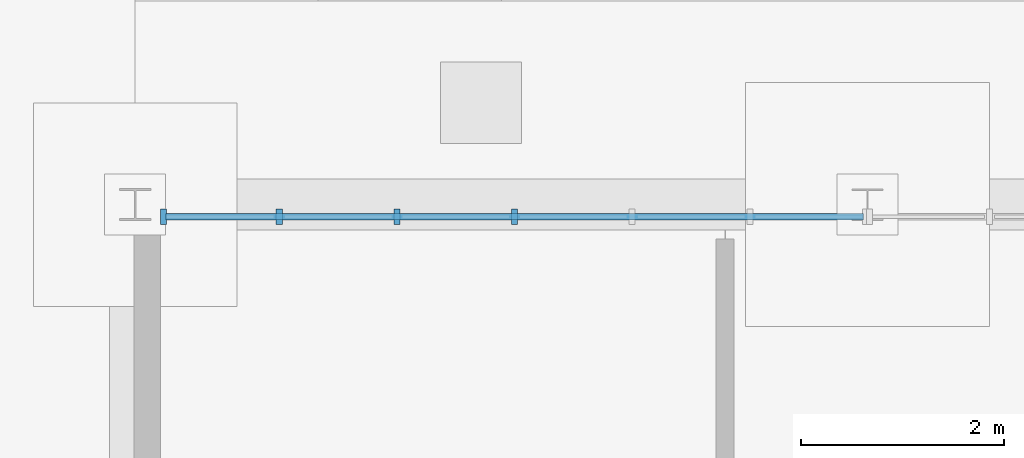
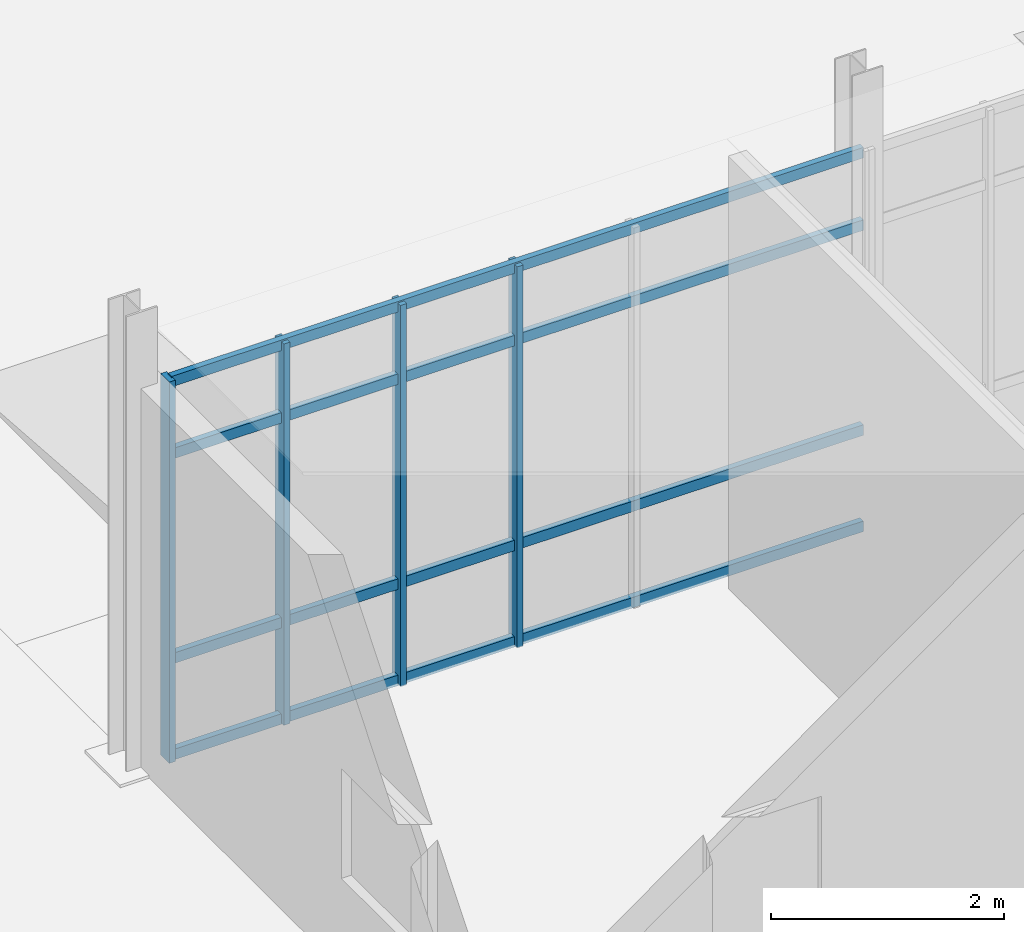
# One storey, part 32 of 118: 8 members, 1 element without a shape of its own.
"""IFC4 building model written with IfcOpenShell, lengths in metres."""

import ifcopenshell
import ifcopenshell.guid

model = None  # the IFC model being written
_history = None  # IfcOwnerHistory: only IFC2X3 demands one
_inside = {}  # id of a spatial element -> (the spatial element, [elements in it])
_under = {}  # id of a project, library or spatial element -> (it, [spatial elements below it])
_declared = {}  # id of a project -> (the project, [libraries it declares])
_typed = {}  # id of a type object -> (the type object, [elements of that type])
_made_of = {}  # id of a material, layer set ... -> (it, [elements and type objects made of it])


def new_model(schema):
    """Start an empty IFC model of exactly this schema.

    Asked for "IFC4X3", IfcOpenShell would pick the latest addendum, in which some entities
    have other attributes; the version numbers below select the first issue.
    IFC2X3 requires an IfcOwnerHistory on every rooted entity: one is made here for all.
    """
    global model, _history
    if schema == "IFC4X3":
        model = ifcopenshell.file(schema_version=(4, 3, 0, 0))
    else:
        model = ifcopenshell.file(schema=schema)
    _inside.clear()
    _under.clear()
    _declared.clear()
    _typed.clear()
    _made_of.clear()
    _history = None
    if model.schema == "IFC2X3":
        org = make("IfcOrganization", Name="unknown")
        user = make(
            "IfcPersonAndOrganization",
            ThePerson=make("IfcPerson", FamilyName="unknown"),
            TheOrganization=org,
        )
        app = make(
            "IfcApplication",
            ApplicationDeveloper=org,
            Version="unknown",
            ApplicationFullName="unknown",
            ApplicationIdentifier="unknown",
        )
        _history = make(
            "IfcOwnerHistory",
            OwningUser=user,
            OwningApplication=app,
            ChangeAction="ADDED",
            CreationDate=0,
        )
    return model


def make(cls, **values):
    """One entity of the class cls with the attributes given. An attribute that is None is left unset."""
    return model.create_entity(
        cls, **{name: value for name, value in values.items() if value is not None}
    )


def rooted(cls, **values):
    """An entity with a GlobalId (a new one), such as an element, a storey or a relation."""
    return make(cls, GlobalId=ifcopenshell.guid.new(), OwnerHistory=_history, **values)


def si_unit(unit_type, name, prefix=None):
    """IfcSIUnit, for example si_unit("LENGTHUNIT", "METRE", prefix="MILLI")."""
    return make("IfcSIUnit", UnitType=unit_type, Prefix=prefix, Name=name)


def assignment(units):
    """IfcUnitAssignment: the units of a project."""
    return None if units is None else make("IfcUnitAssignment", Units=units)


def point(xyz):
    """IfcCartesianPoint."""
    return None if xyz is None else make("IfcCartesianPoint", Coordinates=xyz)


def direction(xyz):
    """IfcDirection."""
    return None if xyz is None else make("IfcDirection", DirectionRatios=xyz)


def frame(location, z_axis=None, x_axis=None):
    """IfcAxis2Placement3D, a coordinate frame: its origin and axes. An axis left out is left unset."""
    return make(
        "IfcAxis2Placement3D",
        Location=point(location),
        Axis=direction(z_axis),
        RefDirection=direction(x_axis),
    )


def frame_2d(location, x_axis=None):
    """IfcAxis2Placement2D, a coordinate frame in the plane: its origin and x axis."""
    return make(
        "IfcAxis2Placement2D", Location=point(location), RefDirection=direction(x_axis)
    )


def origin():
    """The frame at (0, 0, 0) with its axes left unset."""
    return frame((0.0, 0.0, 0.0))


def origin_2d():
    """The frame at (0, 0) in the plane with its x axis left unset."""
    return frame_2d((0.0, 0.0))


def place(relative_to, where):
    """IfcLocalPlacement: puts the frame where relative to a parent placement (None: the world)."""
    return make(
        "IfcLocalPlacement", PlacementRelTo=relative_to, RelativePlacement=where
    )


def context(
    kind, dimensions, precision=None, world=None, true_north=None, identifier=None
):
    """IfcGeometricRepresentationContext, for example the 3D "Model" context."""
    return make(
        "IfcGeometricRepresentationContext",
        ContextIdentifier=identifier,
        ContextType=kind,
        CoordinateSpaceDimension=dimensions,
        Precision=precision,
        WorldCoordinateSystem=world,
        TrueNorth=true_north,
    )


def subcontext(parent, identifier, kind, view, scale=None):
    """IfcGeometricRepresentationSubContext, for example "Body" below "Model"."""
    return make(
        "IfcGeometricRepresentationSubContext",
        ContextIdentifier=identifier,
        ContextType=kind,
        ParentContext=parent,
        TargetScale=scale,
        TargetView=view,
    )


def project(units=None, contexts=None):
    """IfcProject with its units and contexts."""
    return rooted(
        "IfcProject",
        Name="project",
        RepresentationContexts=contexts,
        UnitsInContext=assignment(units),
    )


def spatial(cls, under=None, at=None, **own):
    """A site, building, storey or space (cls), placed at a placement, below another one or the project."""
    s = rooted(cls, ObjectPlacement=at, **own)
    if under is not None:
        _under.setdefault(under.id(), (under, []))[1].append(s)
    return s


def profile(cls, at=None, kind="AREA", **sizes):
    """A parametric profile (cls). Its sizes go by their IFC names, for example OverallWidth=200.0."""
    return make(cls, ProfileType=kind, Position=at, **sizes)


def rectangle(**sizes):
    """IfcRectangleProfileDef."""
    return profile("IfcRectangleProfileDef", **sizes)


def extrude(swept, where, along, depth):
    """IfcExtrudedAreaSolid: the profile swept, set in the frame where, extruded along a direction by depth."""
    return make(
        "IfcExtrudedAreaSolid",
        SweptArea=swept,
        Position=where,
        ExtrudedDirection=direction(along),
        Depth=depth,
    )


def shape(context_of_items, identifier, shape_type, items):
    """IfcShapeRepresentation: the items that make up one representation, for example the "Body"."""
    return make(
        "IfcShapeRepresentation",
        ContextOfItems=context_of_items,
        RepresentationIdentifier=identifier,
        RepresentationType=shape_type,
        Items=items,
    )


def material(Name=None, Category=None):
    """IfcMaterial."""
    return make("IfcMaterial", Name=Name, Category=Category)


def material_profile(
    of_material, cross_section, Name=None, Category=None, Priority=None
):
    """IfcMaterialProfile: a cross section and its material."""
    return make(
        "IfcMaterialProfile",
        Name=Name,
        Material=of_material,
        Profile=cross_section,
        Priority=Priority,
        Category=Category,
    )


def profile_set(profiles, Name=None, composite=None):
    """IfcMaterialProfileSet."""
    return make(
        "IfcMaterialProfileSet",
        Name=Name,
        MaterialProfiles=profiles,
        CompositeProfile=composite,
    )


def made_of(thing, what):
    """Note that an element or type object is made of a material, layer set ...; save() writes the relation."""
    if what is not None:
        _made_of.setdefault(what.id(), (what, []))[1].append(thing)
    return thing


def type_object(cls, material=None, **own):
    """A type object (cls), such as IfcWallType, which elements share."""
    return made_of(rooted(cls, **own), material)


def element(
    cls,
    number,
    at=None,
    inside=None,
    cuts=None,
    type_object=None,
    material=None,
    context=None,
    identifier="Body",
    shape_type=None,
    held_by="IfcProductDefinitionShape",
    body=None,
    shapes=None,
    **own,
):
    """One element of the class cls, such as IfcWall. Its Tag is "e" and its number.

    at: its placement. inside: the storey or other place that contains it. cuts: it is an
    opening in that element (IfcRelVoidsElement). A single representation is given by context,
    identifier, shape_type and body (its items); several are given by shapes. held_by: the class
    of the entity that holds the representations. save() writes the other relations.
    """
    e = rooted(cls, Tag="e%d" % number, ObjectPlacement=at, **own)
    if body is not None:
        shapes = [shape(context, identifier, shape_type, body)]
    if shapes is not None:
        e.Representation = make(held_by, Representations=shapes)
    if inside is not None:
        _inside.setdefault(inside.id(), (inside, []))[1].append(e)
    if cuts is not None:
        rooted(
            "IfcRelVoidsElement", RelatingBuildingElement=cuts, RelatedOpeningElement=e
        )
    if type_object is not None:
        _typed.setdefault(type_object.id(), (type_object, []))[1].append(e)
    return made_of(e, material)


def aggregate(whole, parts):
    """IfcRelAggregates: a whole, such as a stair, and the parts it consists of."""
    return rooted("IfcRelAggregates", RelatingObject=whole, RelatedObjects=parts)


def save(model, path):
    """Write the relations noted so far, then the file.

    IfcRelAggregates (storeys below a building ...), IfcRelContainedInSpatialStructure (elements
    in a storey), IfcRelDefinesByType, IfcRelAssociatesMaterial and IfcRelDeclares: one each for
    every whole, place, type object, material and project.
    """
    for whole, parts in _under.values():
        aggregate(whole, parts)
    for where, things in _inside.values():
        rooted(
            "IfcRelContainedInSpatialStructure",
            RelatedElements=things,
            RelatingStructure=where,
        )
    for kind, things in _typed.values():
        rooted("IfcRelDefinesByType", RelatedObjects=things, RelatingType=kind)
    for what, things in _made_of.values():
        rooted("IfcRelAssociatesMaterial", RelatedObjects=things, RelatingMaterial=what)
    for by, libraries in _declared.values():
        rooted("IfcRelDeclares", RelatingContext=by, RelatedDefinitions=libraries)
    model.write(path)


model = new_model("IFC4")

# Units and contexts
model_context = context("Model", 3, precision=1e-05, world=origin(), true_north=direction((0.0, 1.0)))
body_context = subcontext(model_context, "Body", "Model", "MODEL_VIEW")
ifc_project = project(units=[si_unit("LENGTHUNIT", "METRE"), si_unit("AREAUNIT", "SQUARE_METRE"), si_unit("VOLUMEUNIT", "CUBIC_METRE"), si_unit("PLANEANGLEUNIT", "RADIAN"), si_unit("MASSUNIT", "GRAM", prefix="KILO")], contexts=[model_context])

# Site, building, storey
site_placement = place(None, origin())
site = spatial("IfcSite", under=ifc_project, at=site_placement, CompositionType="ELEMENT")
building_placement = place(site_placement, origin())
building = spatial("IfcBuilding", under=site, at=building_placement, Name="Qelthora Terrace Specialist Clinic", CompositionType="ELEMENT")
storey_placement = place(building_placement, origin())
storey = spatial("IfcBuildingStorey", under=building, at=storey_placement, Name="L00", CompositionType="ELEMENT", Elevation=0.0)

# Curtain wall, members
ifc_material = material(Name="Aluminium anodized bronze", Category="aluminium")
curtain_wall_type = type_object("IfcCurtainWallType", Name="CW-HALL-L00", PredefinedType="NOTDEFINED", material=ifc_material)
curtain_wall_placement = place(storey_placement, origin())
curtain_wall = element("IfcCurtainWall", 1, at=curtain_wall_placement, inside=storey, type_object=curtain_wall_type, Name="Curtain wall CW-L00-201", PredefinedType="NOTDEFINED")
ifc_material_profile_1 = material_profile(ifc_material, rectangle(XDim=0.06005859375, YDim=0.14990234375, at=origin_2d()), Name="CWM60X150")
ifc_profile_set_1 = profile_set([ifc_material_profile_1], Name="Aluminium anodized bronze")
member_type_1 = type_object("IfcMemberType", Name="CWM-60X150", PredefinedType="MULLION", material=ifc_profile_set_1)
member_1_placement = place(storey_placement, frame((57.8798828125, 33.47998046875, 0.0), z_axis=(0.0, 0.0, 1.0), x_axis=(1.0, 0.0, 0.0)))
member_1 = element("IfcMember", 2, at=member_1_placement, type_object=member_type_1, Name="CW-L00-201 mullion 1", PredefinedType="MULLION", context=body_context, shape_type="SweptSolid", body=[
    extrude(rectangle(XDim=0.06005859375, YDim=0.14990234375, at=origin_2d()), origin(), (0.0, 0.0, 1.0), 3.998046875),
])
member_2_placement = place(storey_placement, frame((59.0166015625, 33.47998046875, 0.0), z_axis=(0.0, 0.0, 1.0), x_axis=(1.0, 0.0, 0.0)))
member_2 = element("IfcMember", 3, at=member_2_placement, type_object=member_type_1, Name="CW-L00-201 mullion 2", PredefinedType="MULLION", context=body_context, shape_type="SweptSolid", body=[
    extrude(rectangle(XDim=0.06005859375, YDim=0.14990234375, at=origin_2d()), origin(), (0.0, 0.0, 1.0), 3.998046875),
])
member_3_placement = place(storey_placement, frame((60.17333984375, 33.47998046875, 0.0), z_axis=(0.0, 0.0, 1.0), x_axis=(1.0, 0.0, 0.0)))
member_3 = element("IfcMember", 4, at=member_3_placement, type_object=member_type_1, Name="CW-L00-201 mullion 3", PredefinedType="MULLION", context=body_context, shape_type="SweptSolid", body=[
    extrude(rectangle(XDim=0.06005859375, YDim=0.14990234375, at=origin_2d()), origin(), (0.0, 0.0, 1.0), 3.998046875),
])
member_4_placement = place(storey_placement, frame((61.330078125, 33.47998046875, 0.0), z_axis=(0.0, 0.0, 1.0), x_axis=(1.0, 0.0, 0.0)))
member_4 = element("IfcMember", 5, at=member_4_placement, type_object=member_type_1, Name="CW-L00-201 mullion 4", PredefinedType="MULLION", context=body_context, shape_type="SweptSolid", body=[
    extrude(rectangle(XDim=0.06005859375, YDim=0.14990234375, at=origin_2d()), origin(), (0.0, 0.0, 1.0), 3.998046875),
])
ifc_material_profile_2 = material_profile(ifc_material, rectangle(XDim=0.06005859375, YDim=0.110107421875, at=origin_2d()), Name="CWT60X110")
ifc_profile_set_2 = profile_set([ifc_material_profile_2], Name="Aluminium anodized bronze")
member_type_2 = type_object("IfcMemberType", Name="CWT-60X110", PredefinedType="USERDEFINED", material=ifc_profile_set_2)
member_5_placement = place(storey_placement, frame((57.89990234375, 33.47998046875, 0.0400390625), z_axis=(1.0, 0.0, 0.0), x_axis=(0.0, 1.0, 0.0)))
member_5 = element("IfcMember", 6, at=member_5_placement, type_object=member_type_2, Name="CW-L00-201 transom 1", ObjectType="TRANSOM", PredefinedType="USERDEFINED", context=body_context, shape_type="SweptSolid", body=[
    extrude(rectangle(XDim=0.06005859375, YDim=0.110107421875, at=origin_2d()), origin(), (0.0, 0.0, 1.0), 6.860107421875),
])
member_6_placement = place(storey_placement, frame((57.89990234375, 33.47998046875, 1.050048828125), z_axis=(1.0, 0.0, 0.0), x_axis=(0.0, 1.0, 0.0)))
member_6 = element("IfcMember", 7, at=member_6_placement, type_object=member_type_2, Name="CW-L00-201 transom 2", ObjectType="TRANSOM", PredefinedType="USERDEFINED", context=body_context, shape_type="SweptSolid", body=[
    extrude(rectangle(XDim=0.06005859375, YDim=0.110107421875, at=origin_2d()), origin(), (0.0, 0.0, 1.0), 6.860107421875),
])
member_7_placement = place(storey_placement, frame((57.89990234375, 33.47998046875, 3.197998046875), z_axis=(1.0, 0.0, 0.0), x_axis=(0.0, 1.0, 0.0)))
member_7 = element("IfcMember", 8, at=member_7_placement, type_object=member_type_2, Name="CW-L00-201 transom 3", ObjectType="TRANSOM", PredefinedType="USERDEFINED", context=body_context, shape_type="SweptSolid", body=[
    extrude(rectangle(XDim=0.06005859375, YDim=0.110107421875, at=origin_2d()), origin(), (0.0, 0.0, 1.0), 6.860107421875),
])
member_8_placement = place(storey_placement, frame((57.89990234375, 33.47998046875, 3.9580078125), z_axis=(1.0, 0.0, 0.0), x_axis=(0.0, 1.0, 0.0)))
member_8 = element("IfcMember", 9, at=member_8_placement, type_object=member_type_2, Name="CW-L00-201 transom 4", ObjectType="TRANSOM", PredefinedType="USERDEFINED", context=body_context, shape_type="SweptSolid", body=[
    extrude(rectangle(XDim=0.06005859375, YDim=0.110107421875, at=origin_2d()), origin(), (0.0, 0.0, 1.0), 6.860107421875),
])
aggregate(curtain_wall, [member_1, member_2, member_3, member_4, member_5, member_6, member_7, member_8])

save(model, "model.ifc")
